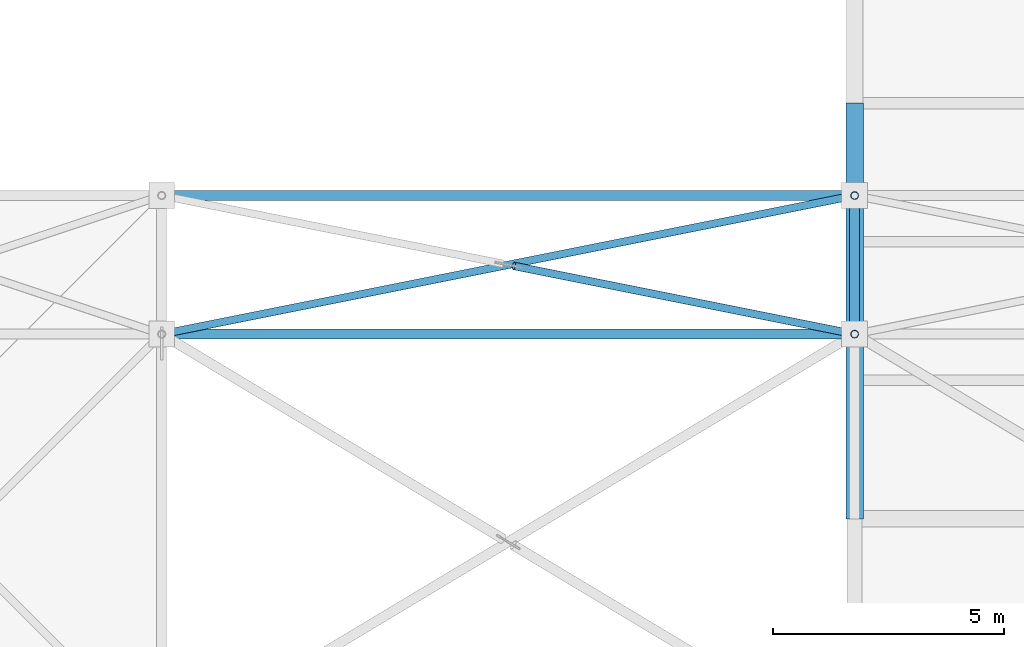
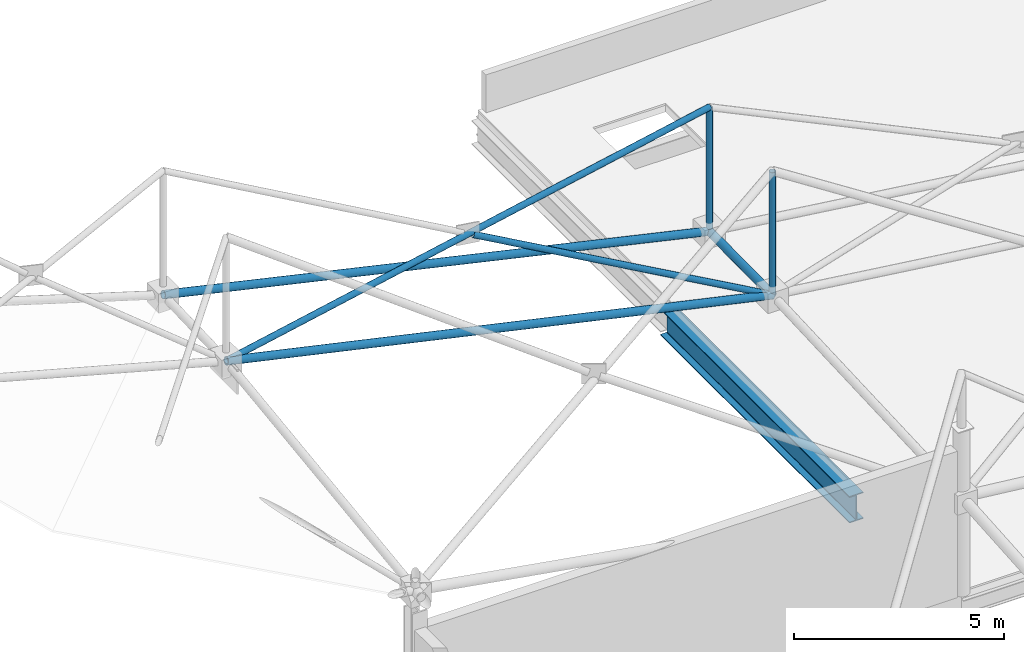
# One storey, part 87 of 224: 7 members, 1 beam.
"""IFC4 building model written with IfcOpenShell, lengths in metres."""

from ifc_helpers import new_model, si_unit, direction, frame, origin, origin_2d, place, context, subcontext, project, spatial, hollow_circle, i_section, extrude, material, material_profile, profile_set, type_object, element, save


model = new_model("IFC4")

# Units and contexts
model_context = context("Model", 3, precision=1e-05, world=origin(), true_north=direction((0.0, 1.0)))
body_context = subcontext(model_context, "Body", "Model", "MODEL_VIEW")
ifc_project = project(units=[si_unit("LENGTHUNIT", "METRE"), si_unit("AREAUNIT", "SQUARE_METRE"), si_unit("VOLUMEUNIT", "CUBIC_METRE"), si_unit("PLANEANGLEUNIT", "RADIAN"), si_unit("MASSUNIT", "GRAM", prefix="KILO")], contexts=[model_context])

# Site, building, storey
site_placement = place(None, origin())
site = spatial("IfcSite", under=ifc_project, at=site_placement, CompositionType="ELEMENT")
building_placement = place(site_placement, origin())
building = spatial("IfcBuilding", under=site, at=building_placement, Name="Qamarlyn Nura Convention Centre", CompositionType="ELEMENT")
storey_placement = place(building_placement, frame((0.0, 0.0, 10.800048828125)))
storey = spatial("IfcBuildingStorey", under=building, at=storey_placement, Name="L02", CompositionType="ELEMENT", Elevation=10.800048828125)

# Beam
ifc_material_1 = material(Name="Steel ASTM A992", Category="steel")
ifc_material_profile_1 = material_profile(ifc_material_1, i_section(OverallWidth=0.381103515625, OverallDepth=0.77294921875, WebThickness=0.0166015625, FlangeThickness=0.027587890625, FilletRadius=0.02001953125, at=origin_2d()), Name="W760X257")
ifc_profile_set_1 = profile_set([ifc_material_profile_1], Name="Steel ASTM A992")
beam_type = type_object("IfcBeamType", Name="BM-GIRD-760", PredefinedType="BEAM", material=ifc_profile_set_1)
beam_placement = place(storey_placement, frame((15.0, 108.0, -0.58154296875), z_axis=(0.0, 1.0, 0.0), x_axis=(-1.0, 0.0, 0.0)))
element("IfcBeam", 1, at=beam_placement, inside=storey, type_object=beam_type, Name="L02 girder 2 N-P", PredefinedType="BEAM", context=body_context, shape_type="SweptSolid", body=[
    extrude(i_section(OverallWidth=0.381103515625, OverallDepth=0.77294921875, WebThickness=0.0166015625, FlangeThickness=0.027587890625, FilletRadius=0.02001953125, at=origin_2d()), origin(), (0.0, 0.0, 1.0), 9.0),
])

# Members
ifc_material_2 = material(Name="Pearl-white PVDF steel ASTM A500 Grade C", Category="steel")
ifc_material_profile_2 = material_profile(ifc_material_2, hollow_circle(Radius=0.109619140625, WallThickness=0.010009765625, at=origin_2d()), Name="CHS219.1X10")
ifc_profile_set_2 = profile_set([ifc_material_profile_2], Name="Pearl-white PVDF steel ASTM A500 Grade C")
member_type_1 = type_object("IfcMemberType", Name="SF-BC-EAVE", PredefinedType="CHORD", material=ifc_profile_set_2)
member_1_placement = place(storey_placement, frame((0.0, 112.0, 6.505615234375), z_axis=(0.976164624712, 0.0, -0.217031392799), x_axis=(0.0, 1.0, 0.0)))
element("IfcMember", 2, at=member_1_placement, inside=storey, type_object=member_type_1, Name="ROOF TRUSS space frame bottom chord X2-8", PredefinedType="CHORD", context=body_context, shape_type="SweptSolid", body=[
    extrude(hollow_circle(Radius=0.109619140625, WallThickness=0.010009765625, at=origin_2d()), origin(), (0.0, 0.0, 1.0), 15.3662109375),
])
member_2_placement = place(storey_placement, frame((0.0, 115.0, 6.607421875), z_axis=(0.975155613559, 0.0, -0.221520945613), x_axis=(0.0, 1.0, 0.0)))
element("IfcMember", 3, at=member_2_placement, inside=storey, type_object=member_type_1, Name="ROOF TRUSS space frame bottom chord X2-9", PredefinedType="CHORD", context=body_context, shape_type="SweptSolid", body=[
    extrude(hollow_circle(Radius=0.109619140625, WallThickness=0.010009765625, at=origin_2d()), origin(), (0.0, 0.0, 1.0), 15.382080078125),
])
member_3_placement = place(storey_placement, frame((15.0, 112.0, 3.170654296875), z_axis=(0.0, 0.999952319695, 0.009765159372), x_axis=(-1.0, 0.0, 0.0)))
element("IfcMember", 4, at=member_3_placement, inside=storey, type_object=member_type_1, Name="ROOF TRUSS space frame bottom chord Y3-8", PredefinedType="CHORD", context=body_context, shape_type="SweptSolid", body=[
    extrude(hollow_circle(Radius=0.109619140625, WallThickness=0.010009765625, at=origin_2d()), origin(), (0.0, 0.0, 1.0), 3.000244140625),
])
ifc_material_profile_3 = material_profile(ifc_material_2, hollow_circle(Radius=0.084228515625, WallThickness=0.008056640625, at=origin_2d()), Name="CHS168.3X8")
ifc_profile_set_3 = profile_set([ifc_material_profile_3], Name="Pearl-white PVDF steel ASTM A500 Grade C")
member_type_2 = type_object("IfcMemberType", Name="SF-WEB-STD", PredefinedType="BRACE", material=ifc_profile_set_3)
member_4_placement = place(storey_placement, frame((0.0, 112.0, 6.505615234375), z_axis=(0.980399085851, 0.19607981717, 0.019244161744), x_axis=(-0.196116135138, 0.980580675691, 0.0)))
element("IfcMember", 5, at=member_4_placement, inside=storey, type_object=member_type_2, Name="ROOF TRUSS space frame diagonal A 2-8", PredefinedType="BRACE", context=body_context, shape_type="SweptSolid", body=[
    extrude(hollow_circle(Radius=0.084228515625, WallThickness=0.008056640625, at=origin_2d()), origin(), (0.0, 0.0, 1.0), 15.2998046875),
])
member_5_placement = place(storey_placement, frame((15.0, 112.0, 3.170654296875), z_axis=(-0.891662349329, 0.178338373155, 0.416093354248), x_axis=(-0.196122377412, -0.980579427216, 0.0)))
element("IfcMember", 6, at=member_5_placement, inside=storey, type_object=member_type_2, Name="ROOF TRUSS space frame split diagonal B1 2-8", PredefinedType="BRACE", context=body_context, shape_type="SweptSolid", body=[
    extrude(hollow_circle(Radius=0.084228515625, WallThickness=0.008056640625, at=origin_2d()), origin(), (0.0, 0.0, 1.0), 8.271240234375),
])
member_6_placement = place(storey_placement, frame((15.0, 112.0, 3.170654296875), z_axis=(0.0, 0.0, 1.0), x_axis=(1.0, 0.0, 0.0)))
element("IfcMember", 7, at=member_6_placement, inside=storey, type_object=member_type_2, Name="ROOF TRUSS space frame vertical 3-8", PredefinedType="BRACE", context=body_context, shape_type="SweptSolid", body=[
    extrude(hollow_circle(Radius=0.084228515625, WallThickness=0.008056640625, at=origin_2d()), origin(), (0.0, 0.0, 1.0), 3.599853515625),
])
member_7_placement = place(storey_placement, frame((15.0, 115.0, 3.199951171875), z_axis=(0.0, 0.0, 1.0), x_axis=(1.0, 0.0, 0.0)))
element("IfcMember", 8, at=member_7_placement, inside=storey, type_object=member_type_2, Name="ROOF TRUSS space frame vertical 3-9", PredefinedType="BRACE", context=body_context, shape_type="SweptSolid", body=[
    extrude(hollow_circle(Radius=0.084228515625, WallThickness=0.008056640625, at=origin_2d()), origin(), (0.0, 0.0, 1.0), 3.60009765625),
])

save(model, "model.ifc")
